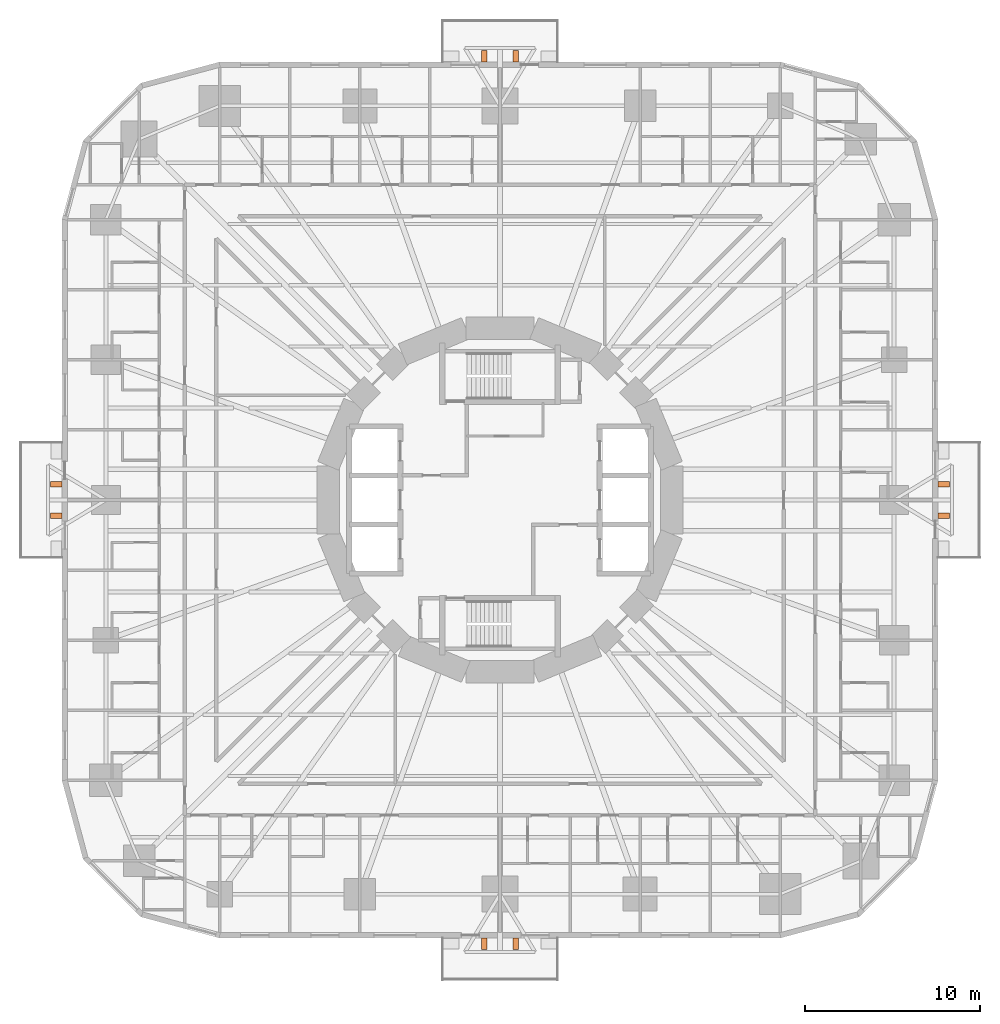
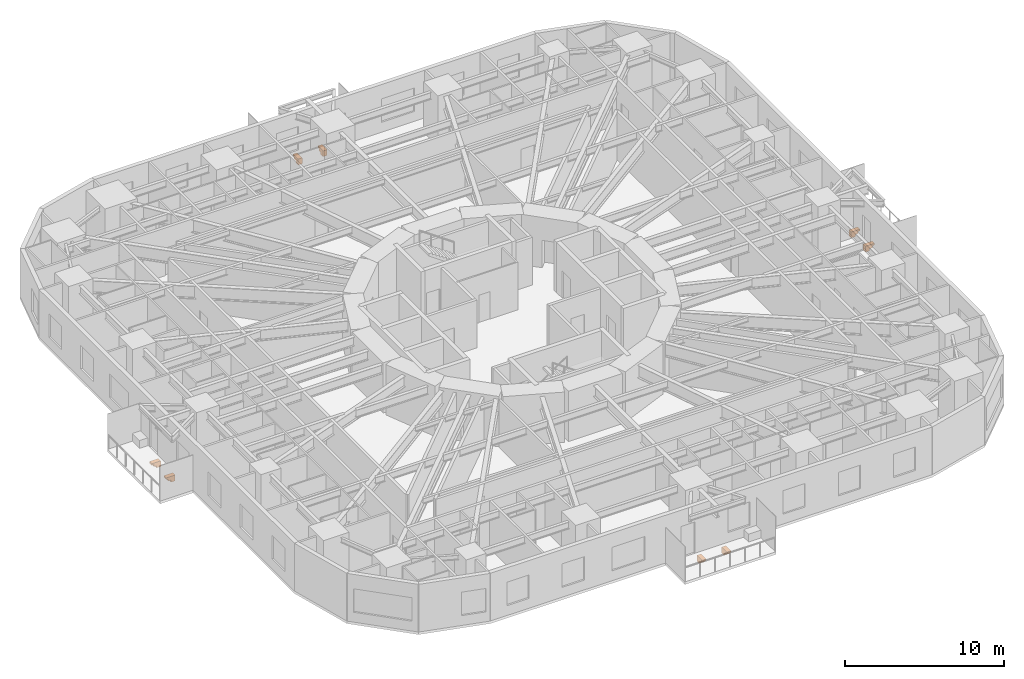
# One storey, part 14 of 14: 8 proxies.
"""IFC4 building model written with IfcOpenShell, lengths in metres."""

from ifc_helpers import new_model, si_unit, direction, frame, origin, place, context, subcontext, project, spatial, polyline, outline, extrude, material, type_object, element, save


model = new_model("IFC4")

# Units and contexts
model_context = context("Model", 3, precision=1e-05, world=origin(), true_north=direction((0.0, 1.0)))
body_context = subcontext(model_context, "Body", "Model", "MODEL_VIEW")
ifc_project = project(units=[si_unit("LENGTHUNIT", "METRE"), si_unit("AREAUNIT", "SQUARE_METRE"), si_unit("VOLUMEUNIT", "CUBIC_METRE"), si_unit("PLANEANGLEUNIT", "RADIAN"), si_unit("MASSUNIT", "GRAM", prefix="KILO")], contexts=[model_context])

# Site, building, storey
site_placement = place(None, origin())
site = spatial("IfcSite", under=ifc_project, at=site_placement, CompositionType="ELEMENT")
building_placement = place(site_placement, origin())
building = spatial("IfcBuilding", under=site, at=building_placement, Name="Nakasero Lantern House", CompositionType="ELEMENT")
storey_placement = place(building_placement, frame((0.0, 0.0, 19.85009765625)))
storey = spatial("IfcBuildingStorey", under=building, at=storey_placement, Name="L04", CompositionType="ELEMENT", Elevation=19.85009765625)

# Proxies
ifc_material = material(Name="Concrete C40/50 precast", Category="concrete")
building_element_proxy_type = type_object("IfcBuildingElementProxyType", Name="Balcony bracket 300", PredefinedType="USERDEFINED", material=ifc_material)
for number, where, z_axis, x_axis, name in (
    (1, (25.0, -0.89990234375, -0.2001953125), (0.0, 0.0, 1.0), (1.0, 0.0, 0.0), "Balcony bracket L04 0A"),
    (2, (25.0, 0.89990234375, -0.2001953125), (0.0, 0.0, 1.0), (1.0, 0.0, 0.0), "Balcony bracket L04 0B"),
    (3, (0.89990234375, 25.0, -0.2001953125), (0.0, 0.0, 1.0), (0.0, 1.0, 0.0), "Balcony bracket L04 1A"),
    (4, (-0.89990234375, 25.0, -0.2001953125), (0.0, 0.0, 1.0), (0.0, 1.0, 0.0), "Balcony bracket L04 1B"),
    (5, (-25.0, 0.89990234375, -0.2001953125), (0.0, 0.0, 1.0), (-1.0, 0.0, 0.0), "Balcony bracket L04 2A"),
    (6, (-25.0, -0.89990234375, -0.2001953125), (0.0, 0.0, 1.0), (-1.0, 0.0, 0.0), "Balcony bracket L04 2B"),
    (7, (-0.89990234375, -25.0, -0.2001953125), (0.0, 0.0, 1.0), (0.0, -1.0, 0.0), "Balcony bracket L04 3A"),
    (8, (0.89990234375, -25.0, -0.2001953125), (0.0, 0.0, 1.0), (0.0, -1.0, 0.0), "Balcony bracket L04 3B"),
):
    element("IfcBuildingElementProxy", number, at=place(storey_placement, frame(where, z_axis=z_axis, x_axis=x_axis)), inside=storey, type_object=building_element_proxy_type, Name=name, ObjectType="BALCONY BRACKET", PredefinedType="USERDEFINED", context=body_context, shape_type="SweptSolid", body=[
        extrude(outline(polyline([(0.0, 0.0), (0.64990234375, 0.0), (0.64990234375, -0.1201171875), (0.5, -0.1201171875), (0.5, -0.280029296875), (0.300048828125, -0.280029296875), (0.300048828125, -0.43994140625), (0.0, -0.43994140625), (0.0, 0.0)])), frame((0.0, 0.14990234375, 0.0), z_axis=(0.0, -1.0, 0.0), x_axis=(1.0, 0.0, 0.0)), (0.0, 0.0, 1.0), 0.300048828125),
    ])

save(model, "model.ifc")
